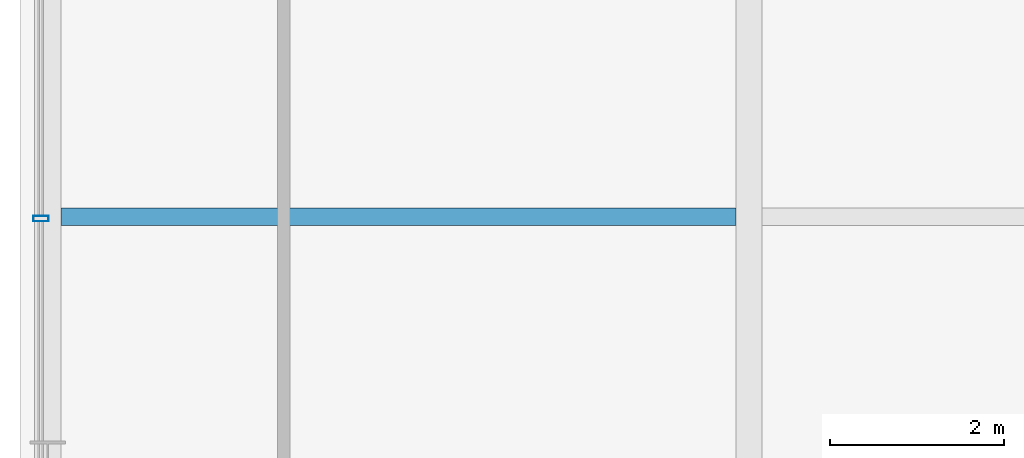
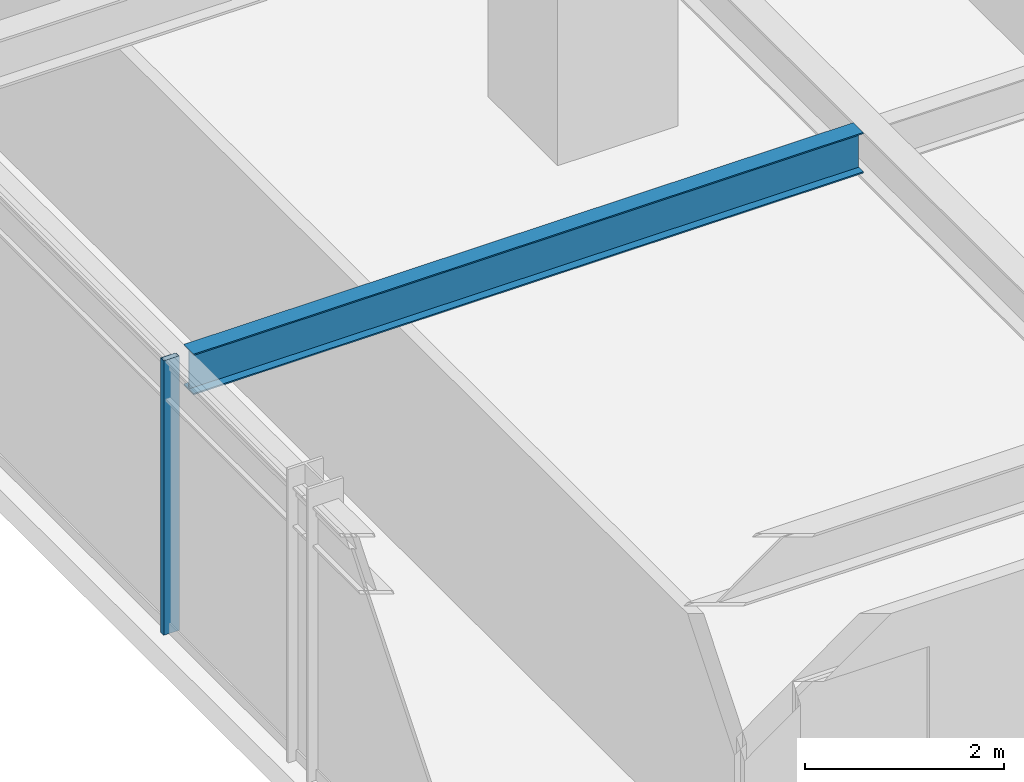
# One storey, part 18 of 36: 1 beam, 1 member, 1 element without a shape of its own.
"""IFC4 building model written with IfcOpenShell, lengths in metres."""

from ifc_helpers import new_model, si_unit, direction, frame, origin, origin_2d, place, context, subcontext, project, spatial, hollow_rectangle, i_section, extrude, source, transform, mapped, material, material_profile, profile_set, type_object, element, aggregate, save


model = new_model("IFC4")

# Units and contexts
model_context = context("Model", 3, precision=1e-05, world=origin(), true_north=direction((0.0, 1.0)))
body_context = subcontext(model_context, "Body", "Model", "MODEL_VIEW")
ifc_project = project(units=[si_unit("LENGTHUNIT", "METRE"), si_unit("AREAUNIT", "SQUARE_METRE"), si_unit("VOLUMEUNIT", "CUBIC_METRE"), si_unit("PLANEANGLEUNIT", "RADIAN"), si_unit("MASSUNIT", "GRAM", prefix="KILO")], contexts=[model_context])

# Site, building, storey
site_placement = place(None, origin())
site = spatial("IfcSite", under=ifc_project, at=site_placement, CompositionType="ELEMENT")
building_placement = place(site_placement, origin())
building = spatial("IfcBuilding", under=site, at=building_placement, Name="Nahalor Promenade Grand Hotel", CompositionType="ELEMENT")
storey_placement = place(building_placement, frame((0.0, 0.0, 72.550048828125)))
storey = spatial("IfcBuildingStorey", under=building, at=storey_placement, Name="L17", CompositionType="ELEMENT", Elevation=72.550048828125)

# Beam
ifc_material_1 = material(Name="Steel S355JR", Category="steel")
ifc_material_profile_1 = material_profile(ifc_material_1, i_section(OverallWidth=0.2, OverallDepth=0.5, WebThickness=0.0102, FlangeThickness=0.016, at=origin_2d()), Name="IPE 500")
ifc_profile_set_1 = profile_set([ifc_material_profile_1], Name="Steel S355JR")
beam_type = type_object("IfcBeamType", Name="Beam-Joist-IPE500", PredefinedType="JOIST", material=ifc_profile_set_1)
shared_shape_1 = source(origin(), body_context, "Body", "SweptSolid", [
    extrude(i_section(OverallWidth=0.2, OverallDepth=0.5, WebThickness=0.0102, FlangeThickness=0.016, at=origin_2d()), origin(), (0.0, 0.0, 1.0), 7.780029296875),
])
beam_placement = place(storey_placement, frame((-24.929931640625, 11.199951171875, 3.119873046875), z_axis=(1.0, 0.0, 0.0), x_axis=(0.0, 1.0, 0.0)))
element("IfcBeam", 1, at=beam_placement, inside=storey, type_object=beam_type, Name="BM-L17-JSW-1-0", PredefinedType="JOIST", context=body_context, shape_type="MappedRepresentation", body=[
    mapped(shared_shape_1, transform((0.0, 0.0, 0.0), scale=1.0)),
])

# Curtain wall, member
ifc_material_2 = material(Name="Anodised Bronze Aluminium EN AW-6063 T6", Category="aluminium")
curtain_wall_type = type_object("IfcCurtainWallType", Name="CW2 Typical Hotel Flush Bronze Unitised Curtain Wall", PredefinedType="USERDEFINED", material=ifc_material_2)
curtain_wall_placement = place(storey_placement, origin())
curtain_wall = element("IfcCurtainWall", 2, at=curtain_wall_placement, inside=storey, type_object=curtain_wall_type, Name="L17 Curtain Wall CW-L17-W-1", ObjectType="UNITISED_CURTAIN_WALL", PredefinedType="USERDEFINED")
ifc_material_profile_2 = material_profile(ifc_material_2, hollow_rectangle(XDim=0.065, YDim=0.18, WallThickness=0.004, at=origin_2d()), Name="CWM 65x180x4")
ifc_profile_set_2 = profile_set([ifc_material_profile_2], Name="Anodised Bronze Aluminium EN AW-6063 T6")
member_type = type_object("IfcMemberType", Name="CWM2 Typical Bronze Mullion 65x180", PredefinedType="MULLION", material=ifc_profile_set_2)
shared_shape_2 = source(origin(), body_context, "Body", "SweptSolid", [
    extrude(hollow_rectangle(XDim=0.065, YDim=0.18, WallThickness=0.004, at=origin_2d()), origin(), (0.0, 0.0, 1.0), 3.369873046875),
])
member_placement = place(storey_placement, frame((-25.159912109375, 11.179931640625, 0.0), z_axis=(0.0, 0.0, 1.0), x_axis=(0.0, 1.0, 0.0)))
member = element("IfcMember", 3, at=member_placement, type_object=member_type, Name="CW-L17-W-1 Mullion 3", PredefinedType="MULLION", context=body_context, shape_type="MappedRepresentation", body=[
    mapped(shared_shape_2, transform((0.0, 0.0, 0.0), scale=1.0)),
])
aggregate(curtain_wall, [member])

save(model, "model.ifc")
